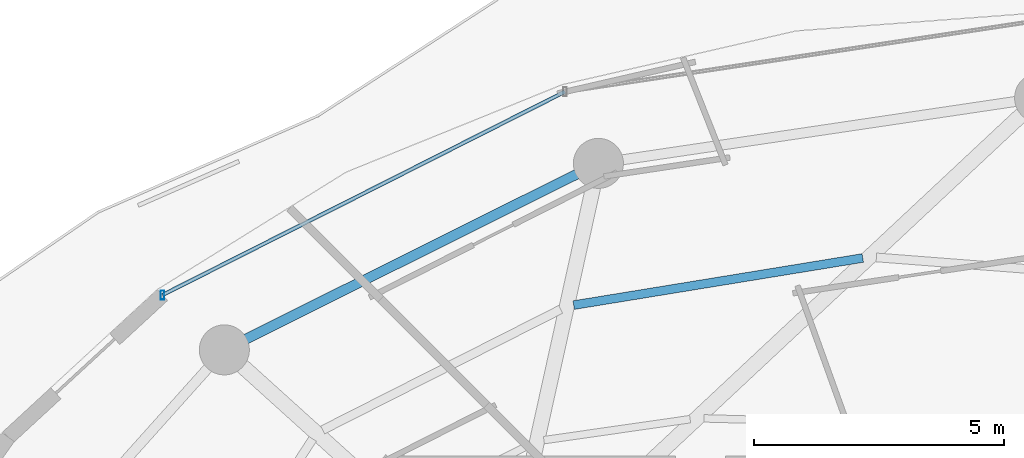
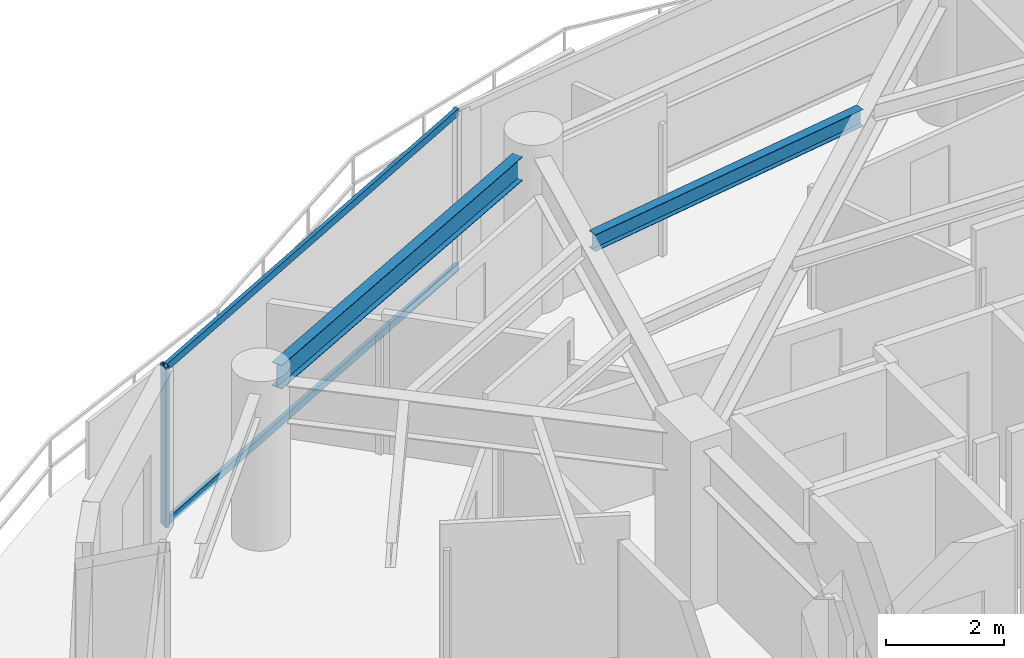
# One storey, part 17 of 31: 3 members, 2 beams, 1 element without a shape of its own.
"""IFC4 building model written with IfcOpenShell, lengths in metres."""

from ifc_helpers import new_model, si_unit, direction, frame, origin, origin_2d, place, context, subcontext, project, spatial, hollow_rectangle, i_section, extrude, material, material_profile, profile_set, type_object, element, aggregate, save


model = new_model("IFC4")

# Units and contexts
model_context = context("Model", 3, precision=1e-05, world=origin(), true_north=direction((0.0, 1.0)))
body_context = subcontext(model_context, "Body", "Model", "MODEL_VIEW")
ifc_project = project(units=[si_unit("LENGTHUNIT", "METRE"), si_unit("AREAUNIT", "SQUARE_METRE"), si_unit("VOLUMEUNIT", "CUBIC_METRE"), si_unit("PLANEANGLEUNIT", "RADIAN"), si_unit("MASSUNIT", "GRAM", prefix="KILO")], contexts=[model_context])

# Site, building, storey
site_placement = place(None, origin())
site = spatial("IfcSite", under=ifc_project, at=site_placement, CompositionType="ELEMENT")
building_placement = place(site_placement, origin())
building = spatial("IfcBuilding", under=site, at=building_placement, Name="Vorneva Point Tower", CompositionType="ELEMENT")
storey_placement = place(building_placement, frame((0.0, 0.0, 132.60009765625)))
storey = spatial("IfcBuildingStorey", under=building, at=storey_placement, Name="L35", CompositionType="ELEMENT", Elevation=132.60009765625)

# Beams
ifc_material_1 = material(Name="Steel S355", Category="steel")
ifc_material_profile_1 = material_profile(ifc_material_1, i_section(OverallWidth=0.174072265625, OverallDepth=0.345947265625, WebThickness=0.006103515625, FlangeThickness=0.009033203125, at=origin_2d()), Name="35B1")
ifc_profile_set_1 = profile_set([ifc_material_profile_1], Name="Steel S355")
beam_type_1 = type_object("IfcBeamType", Name="BM-SEC-35B1", PredefinedType="BEAM", material=ifc_profile_set_1)
beam_1_placement = place(storey_placement, frame((34.4638671875, 39.9990234375, 3.06689453125), z_axis=(-0.986970337588, -0.160902308004, 0.0), x_axis=(0.160902308004, -0.986970337588, 0.0)))
element("IfcBeam", 1, at=beam_1_placement, inside=storey, type_object=beam_type_1, Name="L35 Secondary Floor Beam 1.05", PredefinedType="BEAM", context=body_context, shape_type="SweptSolid", body=[
    extrude(i_section(OverallWidth=0.174072265625, OverallDepth=0.345947265625, WebThickness=0.006103515625, FlangeThickness=0.009033203125, at=origin_2d()), origin(), (0.0, 0.0, 1.0), 5.855224609375),
])
ifc_material_profile_2 = material_profile(ifc_material_1, i_section(OverallWidth=0.199951171875, OverallDepth=0.491943359375, WebThickness=0.0087890625, FlangeThickness=0.011962890625, at=origin_2d()), Name="50B1")
ifc_profile_set_2 = profile_set([ifc_material_profile_2], Name="Steel S355")
beam_type_2 = type_object("IfcBeamType", Name="BM-SPN-50B1", PredefinedType="SPANDREL", material=ifc_profile_set_2)
beam_2_placement = place(storey_placement, frame((28.7451171875, 41.67431640625, 2.993896484375), z_axis=(-0.894929061397, -0.446208443518, 0.0), x_axis=(0.446208443518, -0.894929061397, 0.0)))
element("IfcBeam", 2, at=beam_2_placement, inside=storey, type_object=beam_type_2, Name="L35 Perimeter Spandrel Ring Beam 06", PredefinedType="SPANDREL", context=body_context, shape_type="SweptSolid", body=[
    extrude(i_section(OverallWidth=0.199951171875, OverallDepth=0.491943359375, WebThickness=0.0087890625, FlangeThickness=0.011962890625, at=origin_2d()), origin(), (0.0, 0.0, 1.0), 7.385986328125),
])

# Curtain wall, members
ifc_material_2 = material(Name="Pale anodised aluminium", Category="aluminium")
curtain_wall_type = type_object("IfcCurtainWallType", Name="CW-RES-SYS", PredefinedType="NOTDEFINED", material=ifc_material_2)
curtain_wall_placement = place(storey_placement, origin())
curtain_wall = element("IfcCurtainWall", 3, at=curtain_wall_placement, inside=storey, type_object=curtain_wall_type, Name="L35 Unitised Curtain Wall CW-L35-R02", PredefinedType="NOTDEFINED")
ifc_material_profile_3 = material_profile(ifc_material_2, hollow_rectangle(XDim=0.074951171875, YDim=0.179931640625, WallThickness=0.00390625, at=origin_2d()), Name="AL-MUL 180x75x4")
ifc_profile_set_3 = profile_set([ifc_material_profile_3], Name="Pale anodised aluminium")
member_type_1 = type_object("IfcMemberType", Name="CW-MUL-180", PredefinedType="MULLION", material=ifc_profile_set_3)
member_1_placement = place(storey_placement, frame((20.4638671875, 39.25830078125, -0.0400390625), z_axis=(0.0, 0.0, 1.0), x_axis=(1.0, 0.0, 0.0)))
member_1 = element("IfcMember", 4, at=member_1_placement, type_object=member_type_1, Name="CW-L35-R02 Mullion 05", PredefinedType="MULLION", context=body_context, shape_type="SweptSolid", body=[
    extrude(hollow_rectangle(XDim=0.074951171875, YDim=0.179931640625, WallThickness=0.00390625, at=origin_2d()), origin(), (0.0, 0.0, 1.0), 3.31005859375),
])
ifc_material_profile_4 = material_profile(ifc_material_2, hollow_rectangle(XDim=0.074951171875, YDim=0.14990234375, WallThickness=0.00390625, at=origin_2d()), Name="AL-TRN 150x75x4")
ifc_profile_set_4 = profile_set([ifc_material_profile_4], Name="Pale anodised aluminium")
member_type_2 = type_object("IfcMemberType", Name="CW-TRN-150", PredefinedType="USERDEFINED", material=ifc_profile_set_4)
member_2_placement = place(storey_placement, frame((28.509521484375, 43.32275390625, 0.02001953125), z_axis=(-0.892572392955, -0.450904117673, 0.0), x_axis=(0.450904117673, -0.892572392955, 0.0)))
member_2 = element("IfcMember", 5, at=member_2_placement, type_object=member_type_2, Name="CW-L35-R02 Transom 04.1", ObjectType="TRANSOM", PredefinedType="USERDEFINED", context=body_context, shape_type="SweptSolid", body=[
    extrude(hollow_rectangle(XDim=0.074951171875, YDim=0.14990234375, WallThickness=0.00390625, at=origin_2d()), origin(), (0.0, 0.0, 1.0), 9.013916015625),
])
member_3_placement = place(storey_placement, frame((28.509521484375, 43.32275390625, 3.219970703125), z_axis=(-0.892572392955, -0.450904117673, 0.0), x_axis=(0.450904117673, -0.892572392955, 0.0)))
member_3 = element("IfcMember", 6, at=member_3_placement, type_object=member_type_2, Name="CW-L35-R02 Transom 04.2", ObjectType="TRANSOM", PredefinedType="USERDEFINED", context=body_context, shape_type="SweptSolid", body=[
    extrude(hollow_rectangle(XDim=0.074951171875, YDim=0.14990234375, WallThickness=0.00390625, at=origin_2d()), origin(), (0.0, 0.0, 1.0), 9.013916015625),
])
aggregate(curtain_wall, [member_1, member_2, member_3])

save(model, "model.ifc")
